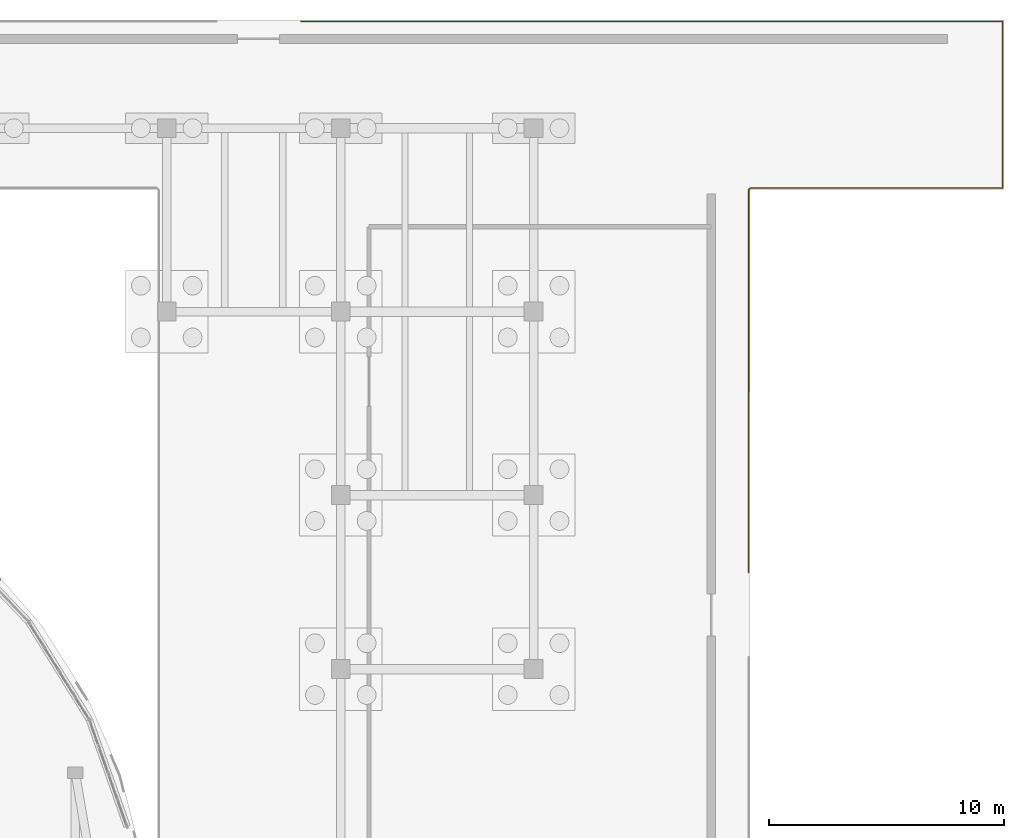
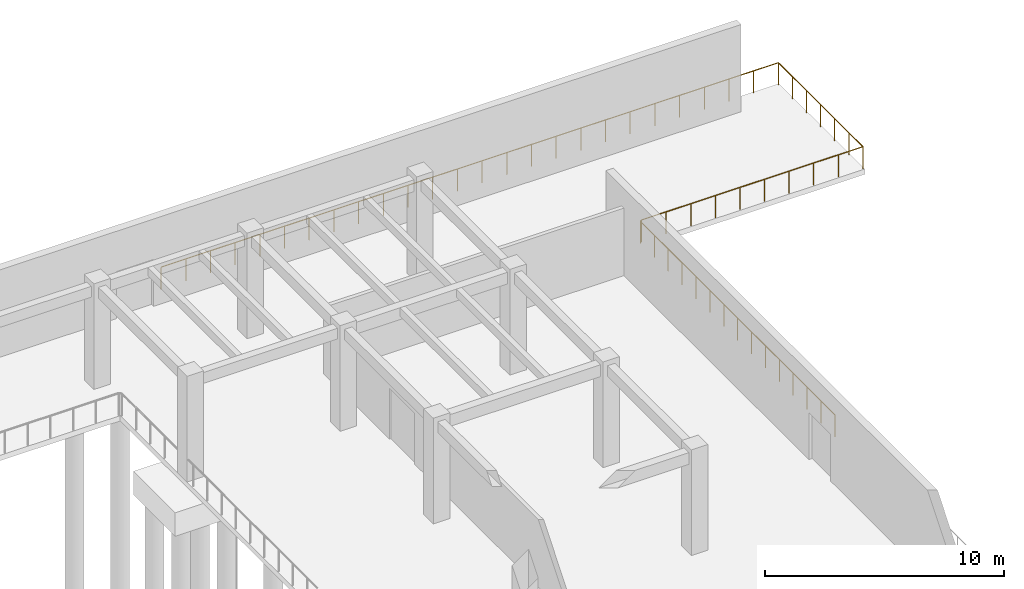
# One storey, part 95 of 96: 1 railing.
"""IFC4 building model written with IfcOpenShell, lengths in metres."""

from ifc_helpers import new_model, si_unit, direction, frame, origin, origin_2d, place, context, subcontext, project, spatial, circle, extrude, material, type_object, element, save


model = new_model("IFC4")

# Units and contexts
model_context = context("Model", 3, precision=1e-05, world=origin(), true_north=direction((0.0, 1.0)))
body_context = subcontext(model_context, "Body", "Model", "MODEL_VIEW")
ifc_project = project(units=[si_unit("LENGTHUNIT", "METRE"), si_unit("AREAUNIT", "SQUARE_METRE"), si_unit("VOLUMEUNIT", "CUBIC_METRE"), si_unit("PLANEANGLEUNIT", "RADIAN"), si_unit("MASSUNIT", "GRAM", prefix="KILO")], contexts=[model_context])

# Site, building, storey
site_placement = place(None, origin())
site = spatial("IfcSite", under=ifc_project, at=site_placement, CompositionType="ELEMENT")
building_placement = place(site_placement, origin())
building = spatial("IfcBuilding", under=site, at=building_placement, Name="Pelvatis Terrace Science Centre", CompositionType="ELEMENT")
storey_placement = place(building_placement, origin())
storey = spatial("IfcBuildingStorey", under=building, at=storey_placement, Name="L00", CompositionType="ELEMENT", Elevation=0.0)

# Railing
ifc_material = material(Name="Bronze-anodised aluminium and laminated safety glass balustrade", Category="aluminium")
railing_type = type_object("IfcRailingType", Name="RLG-BAL-1150", PredefinedType="BALUSTRADE", material=ifc_material)
railing_placement = place(storey_placement, frame((146.5, 121.139892578125, 0.0)))
element("IfcRailing", 1, at=railing_placement, inside=storey, type_object=railing_type, Name="Perimeter edge balustrade RLG-EDG-L00-005", PredefinedType="BALUSTRADE", context=body_context, shape_type="SweptSolid", body=[
    extrude(circle(Radius=0.02392578125, at=origin_2d()), frame((0.0, 0.0, 1.1259765625), z_axis=(1.0, 0.0, 0.0), x_axis=(0.0, 1.0, 0.0)), (0.0, 0.0, 1.0), 29.840087890625),
    extrude(circle(Radius=0.02392578125, at=origin_2d()), frame((29.840087890625, 0.0, 1.1259765625), z_axis=(0.0, -1.0, 0.0), x_axis=(1.0, 0.0, 0.0)), (0.0, 0.0, 1.0), 7.079833984375),
    extrude(circle(Radius=0.02392578125, at=origin_2d()), frame((29.840087890625, -7.079833984375, 1.1259765625), z_axis=(-1.0, 0.0, 0.0), x_axis=(0.0, -1.0, 0.0)), (0.0, 0.0, 1.0), 10.7001953125),
    extrude(circle(Radius=0.02392578125, at=origin_2d()), frame((19.139892578125, -7.079833984375, 1.1259765625), z_axis=(-0.838905778446, -0.544276671271, 0.0), x_axis=(0.544276671271, -0.838905778446, 0.0)), (0.0, 0.0, 1.0), 0.108642578125),
    extrude(circle(Radius=0.02392578125, at=origin_2d()), frame((19.048828125, -7.138916015625, 1.1259765625), z_axis=(-0.000539172292, -0.999999854647, 0.0), x_axis=(0.999999854647, -0.000539172292, 0.0)), (0.0, 0.0, 1.0), 16.301025390625),
    extrude(circle(Radius=0.02099609375, at=origin_2d()), origin(), (0.0, 0.0, 1.0), 1.101806640625),
    extrude(circle(Radius=0.02099609375, at=origin_2d()), frame((1.193603515625, 0.0, 0.0)), (0.0, 0.0, 1.0), 1.101806640625),
    extrude(circle(Radius=0.02099609375, at=origin_2d()), frame((2.38720703125, 0.0, 0.0)), (0.0, 0.0, 1.0), 1.101806640625),
    extrude(circle(Radius=0.02099609375, at=origin_2d()), frame((3.580810546875, 0.0, 0.0)), (0.0, 0.0, 1.0), 1.101806640625),
    extrude(circle(Radius=0.02099609375, at=origin_2d()), frame((4.7744140625, 0.0, 0.0)), (0.0, 0.0, 1.0), 1.101806640625),
    extrude(circle(Radius=0.02099609375, at=origin_2d()), frame((5.968017578125, 0.0, 0.0)), (0.0, 0.0, 1.0), 1.101806640625),
    extrude(circle(Radius=0.02099609375, at=origin_2d()), frame((7.16162109375, 0.0, 0.0)), (0.0, 0.0, 1.0), 1.101806640625),
    extrude(circle(Radius=0.02099609375, at=origin_2d()), frame((8.355224609375, 0.0, 0.0)), (0.0, 0.0, 1.0), 1.101806640625),
    extrude(circle(Radius=0.02099609375, at=origin_2d()), frame((9.548828125, 0.0, 0.0)), (0.0, 0.0, 1.0), 1.101806640625),
    extrude(circle(Radius=0.02099609375, at=origin_2d()), frame((10.742431640625, 0.0, 0.0)), (0.0, 0.0, 1.0), 1.101806640625),
    extrude(circle(Radius=0.02099609375, at=origin_2d()), frame((11.93603515625, 0.0, 0.0)), (0.0, 0.0, 1.0), 1.101806640625),
    extrude(circle(Radius=0.02099609375, at=origin_2d()), frame((13.129638671875, 0.0, 0.0)), (0.0, 0.0, 1.0), 1.101806640625),
    extrude(circle(Radius=0.02099609375, at=origin_2d()), frame((14.3232421875, 0.0, 0.0)), (0.0, 0.0, 1.0), 1.101806640625),
    extrude(circle(Radius=0.02099609375, at=origin_2d()), frame((15.516845703125, 0.0, 0.0)), (0.0, 0.0, 1.0), 1.101806640625),
    extrude(circle(Radius=0.02099609375, at=origin_2d()), frame((16.71044921875, 0.0, 0.0)), (0.0, 0.0, 1.0), 1.101806640625),
    extrude(circle(Radius=0.02099609375, at=origin_2d()), frame((17.904052734375, 0.0, 0.0)), (0.0, 0.0, 1.0), 1.101806640625),
    extrude(circle(Radius=0.02099609375, at=origin_2d()), frame((19.09765625, 0.0, 0.0)), (0.0, 0.0, 1.0), 1.101806640625),
    extrude(circle(Radius=0.02099609375, at=origin_2d()), frame((20.291259765625, 0.0, 0.0)), (0.0, 0.0, 1.0), 1.101806640625),
    extrude(circle(Radius=0.02099609375, at=origin_2d()), frame((21.48486328125, 0.0, 0.0)), (0.0, 0.0, 1.0), 1.101806640625),
    extrude(circle(Radius=0.02099609375, at=origin_2d()), frame((22.678466796875, 0.0, 0.0)), (0.0, 0.0, 1.0), 1.101806640625),
    extrude(circle(Radius=0.02099609375, at=origin_2d()), frame((23.8720703125, 0.0, 0.0)), (0.0, 0.0, 1.0), 1.101806640625),
    extrude(circle(Radius=0.02099609375, at=origin_2d()), frame((25.065673828125, 0.0, 0.0)), (0.0, 0.0, 1.0), 1.101806640625),
    extrude(circle(Radius=0.02099609375, at=origin_2d()), frame((26.25927734375, 0.0, 0.0)), (0.0, 0.0, 1.0), 1.101806640625),
    extrude(circle(Radius=0.02099609375, at=origin_2d()), frame((27.452880859375, 0.0, 0.0)), (0.0, 0.0, 1.0), 1.101806640625),
    extrude(circle(Radius=0.02099609375, at=origin_2d()), frame((28.646484375, 0.0, 0.0)), (0.0, 0.0, 1.0), 1.101806640625),
    extrude(circle(Radius=0.02099609375, at=origin_2d()), frame((29.840087890625, 0.0, 0.0)), (0.0, 0.0, 1.0), 1.101806640625),
    extrude(circle(Radius=0.02099609375, at=origin_2d()), frame((29.840087890625, -1.179931640625, 0.0)), (0.0, 0.0, 1.0), 1.101806640625),
    extrude(circle(Radius=0.02099609375, at=origin_2d()), frame((29.840087890625, -2.35986328125, 0.0)), (0.0, 0.0, 1.0), 1.101806640625),
    extrude(circle(Radius=0.02099609375, at=origin_2d()), frame((29.840087890625, -3.5400390625, 0.0)), (0.0, 0.0, 1.0), 1.101806640625),
    extrude(circle(Radius=0.02099609375, at=origin_2d()), frame((29.840087890625, -4.719970703125, 0.0)), (0.0, 0.0, 1.0), 1.101806640625),
    extrude(circle(Radius=0.02099609375, at=origin_2d()), frame((29.840087890625, -5.89990234375, 0.0)), (0.0, 0.0, 1.0), 1.101806640625),
    extrude(circle(Radius=0.02099609375, at=origin_2d()), frame((29.840087890625, -7.079833984375, 0.0)), (0.0, 0.0, 1.0), 1.101806640625),
    extrude(circle(Radius=0.02099609375, at=origin_2d()), frame((28.651123046875, -7.079833984375, 0.0)), (0.0, 0.0, 1.0), 1.101806640625),
    extrude(circle(Radius=0.02099609375, at=origin_2d()), frame((27.462158203125, -7.079833984375, 0.0)), (0.0, 0.0, 1.0), 1.101806640625),
    extrude(circle(Radius=0.02099609375, at=origin_2d()), frame((26.2734375, -7.079833984375, 0.0)), (0.0, 0.0, 1.0), 1.101806640625),
    extrude(circle(Radius=0.02099609375, at=origin_2d()), frame((25.08447265625, -7.079833984375, 0.0)), (0.0, 0.0, 1.0), 1.101806640625),
    extrude(circle(Radius=0.02099609375, at=origin_2d()), frame((23.8955078125, -7.079833984375, 0.0)), (0.0, 0.0, 1.0), 1.101806640625),
    extrude(circle(Radius=0.02099609375, at=origin_2d()), frame((22.70654296875, -7.079833984375, 0.0)), (0.0, 0.0, 1.0), 1.101806640625),
    extrude(circle(Radius=0.02099609375, at=origin_2d()), frame((21.517822265625, -7.079833984375, 0.0)), (0.0, 0.0, 1.0), 1.101806640625),
    extrude(circle(Radius=0.02099609375, at=origin_2d()), frame((20.328857421875, -7.079833984375, 0.0)), (0.0, 0.0, 1.0), 1.101806640625),
    extrude(circle(Radius=0.02099609375, at=origin_2d()), frame((19.139892578125, -7.079833984375, 0.0)), (0.0, 0.0, 1.0), 1.101806640625),
    extrude(circle(Radius=0.02099609375, at=origin_2d()), frame((19.048828125, -7.138916015625, 0.0)), (0.0, 0.0, 1.0), 1.101806640625),
    extrude(circle(Radius=0.02099609375, at=origin_2d()), frame((19.048095703125, -8.30322265625, 0.0)), (0.0, 0.0, 1.0), 1.101806640625),
    extrude(circle(Radius=0.02099609375, at=origin_2d()), frame((19.047607421875, -9.467529296875, 0.0)), (0.0, 0.0, 1.0), 1.101806640625),
    extrude(circle(Radius=0.02099609375, at=origin_2d()), frame((19.046875, -10.632080078125, 0.0)), (0.0, 0.0, 1.0), 1.101806640625),
    extrude(circle(Radius=0.02099609375, at=origin_2d()), frame((19.04638671875, -11.79638671875, 0.0)), (0.0, 0.0, 1.0), 1.101806640625),
    extrude(circle(Radius=0.02099609375, at=origin_2d()), frame((19.045654296875, -12.960693359375, 0.0)), (0.0, 0.0, 1.0), 1.101806640625),
    extrude(circle(Radius=0.02099609375, at=origin_2d()), frame((19.045166015625, -14.125, 0.0)), (0.0, 0.0, 1.0), 1.101806640625),
    extrude(circle(Radius=0.02099609375, at=origin_2d()), frame((19.04443359375, -15.28955078125, 0.0)), (0.0, 0.0, 1.0), 1.101806640625),
    extrude(circle(Radius=0.02099609375, at=origin_2d()), frame((19.043701171875, -16.453857421875, 0.0)), (0.0, 0.0, 1.0), 1.101806640625),
    extrude(circle(Radius=0.02099609375, at=origin_2d()), frame((19.043212890625, -17.6181640625, 0.0)), (0.0, 0.0, 1.0), 1.101806640625),
    extrude(circle(Radius=0.02099609375, at=origin_2d()), frame((19.04248046875, -18.782470703125, 0.0)), (0.0, 0.0, 1.0), 1.101806640625),
    extrude(circle(Radius=0.02099609375, at=origin_2d()), frame((19.0419921875, -19.94677734375, 0.0)), (0.0, 0.0, 1.0), 1.101806640625),
    extrude(circle(Radius=0.02099609375, at=origin_2d()), frame((19.041259765625, -21.111328125, 0.0)), (0.0, 0.0, 1.0), 1.101806640625),
    extrude(circle(Radius=0.02099609375, at=origin_2d()), frame((19.040771484375, -22.275634765625, 0.0)), (0.0, 0.0, 1.0), 1.101806640625),
    extrude(circle(Radius=0.02099609375, at=origin_2d()), frame((19.0400390625, -23.43994140625, 0.0)), (0.0, 0.0, 1.0), 1.101806640625),
])

save(model, "model.ifc")
